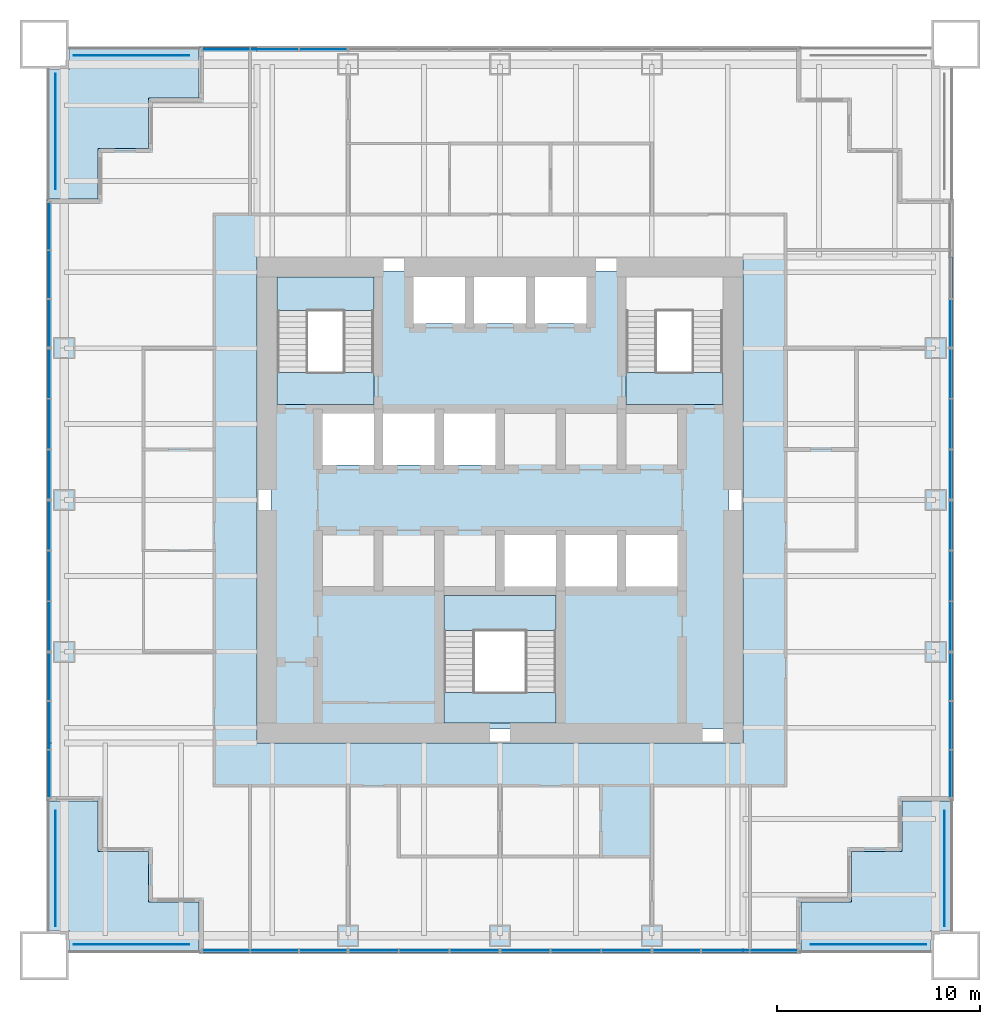
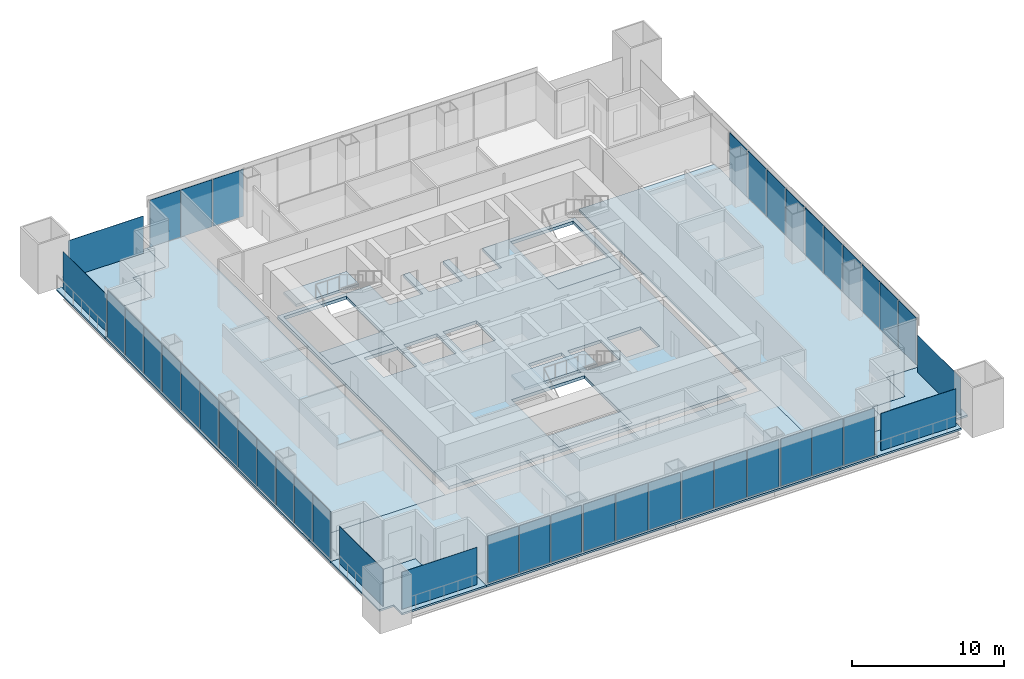
# One storey, part 7 of 13: 43 plates, 12 slabs, 16 elements without a shape of their own.
"""IFC4 building model written with IfcOpenShell, lengths in metres."""

from ifc_helpers import new_model, si_unit, direction, frame, origin, origin_2d, place, context, subcontext, project, spatial, polyline, rectangle, outline, extrude, material, layer, layer_set, type_object, element, aggregate, save


model = new_model("IFC4")

# Units and contexts
model_context = context("Model", 3, precision=1e-05, world=origin(), true_north=direction((0.0, 1.0)))
body_context = subcontext(model_context, "Body", "Model", "MODEL_VIEW")
ifc_project = project(units=[si_unit("LENGTHUNIT", "METRE"), si_unit("AREAUNIT", "SQUARE_METRE"), si_unit("VOLUMEUNIT", "CUBIC_METRE"), si_unit("PLANEANGLEUNIT", "RADIAN"), si_unit("MASSUNIT", "GRAM", prefix="KILO")], contexts=[model_context])

# Site, building, storey
site_placement = place(None, origin())
site = spatial("IfcSite", under=ifc_project, at=site_placement, CompositionType="ELEMENT")
building_placement = place(site_placement, origin())
building = spatial("IfcBuilding", under=site, at=building_placement, Name="Tarangal Relay Tower", CompositionType="ELEMENT")
storey_placement = place(building_placement, frame((0.0, 0.0, 209.89990234375)))
storey = spatial("IfcBuildingStorey", under=building, at=storey_placement, Name="L44", CompositionType="ELEMENT", Elevation=209.89990234375)

# Slabs
ifc_material_1 = material(Name="Concrete fc' 35 MPa", Category="concrete")
ifc_layer_1 = layer(ifc_material_1, 0.25)
ifc_layer_set_1 = layer_set([ifc_layer_1], Name="Core floor slab 250")
slab_type_1 = type_object("IfcSlabType", Name="Core floor slab 250", PredefinedType="FLOOR", material=ifc_layer_set_1)
slab_1_placement = place(storey_placement, frame((0.0, 0.0, -0.25)))
element("IfcSlab", 1, at=slab_1_placement, inside=storey, type_object=slab_type_1, Name="Core floor slab L44", PredefinedType="FLOOR", context=body_context, shape_type="SweptSolid", body=[
    extrude(outline(polyline([(11.300048828125, 11.300048828125), (11.300048828125, -11.300048828125), (-11.300048828125, -11.300048828125), (-11.300048828125, 11.300048828125), (-4.27490234375, 11.300048828125), (-4.27490234375, 8.72509765625), (-1.72509765625, 8.72509765625), (-1.72509765625, 11.300048828125), (-1.27490234375, 11.300048828125), (-1.27490234375, 8.72509765625), (1.27490234375, 8.72509765625), (1.27490234375, 11.300048828125), (1.72509765625, 11.300048828125), (1.72509765625, 8.72509765625), (4.27490234375, 8.72509765625), (4.27490234375, 11.300048828125), (11.300048828125, 11.300048828125)]), holes=[polyline([(-6.22509765625, 4.27490234375), (-8.77490234375, 4.27490234375), (-8.77490234375, 1.72509765625), (-6.22509765625, 1.72509765625), (-6.22509765625, 4.27490234375)]), polyline([(-3.22509765625, 1.72509765625), (-3.22509765625, 4.27490234375), (-5.77490234375, 4.27490234375), (-5.77490234375, 1.72509765625), (-3.22509765625, 1.72509765625)]), polyline([(-0.22509765625, 1.72509765625), (-0.22509765625, 4.27490234375), (-2.77490234375, 4.27490234375), (-2.77490234375, 1.72509765625), (-0.22509765625, 1.72509765625)]), polyline([(-6.22509765625, 11.0), (-11.0, 11.0), (-11.0, 4.72509765625), (-6.22509765625, 4.72509765625), (-6.22509765625, 11.0)]), polyline([(2.77490234375, -4.72509765625), (-2.77490234375, -4.72509765625), (-2.77490234375, -11.0), (2.77490234375, -11.0), (2.77490234375, -4.72509765625)]), polyline([(2.77490234375, -4.27490234375), (2.77490234375, -1.72509765625), (0.22509765625, -1.72509765625), (0.22509765625, -4.27490234375), (2.77490234375, -4.27490234375)]), polyline([(5.77490234375, -4.27490234375), (5.77490234375, -1.72509765625), (3.22509765625, -1.72509765625), (3.22509765625, -4.27490234375), (5.77490234375, -4.27490234375)]), polyline([(8.77490234375, -1.72509765625), (6.22509765625, -1.72509765625), (6.22509765625, -4.27490234375), (8.77490234375, -4.27490234375), (8.77490234375, -1.72509765625)]), polyline([(11.0, 4.72509765625), (11.0, 11.0), (6.22509765625, 11.0), (6.22509765625, 4.72509765625), (11.0, 4.72509765625)])]), origin(), (0.0, 0.0, 1.0), 0.25),
])
ifc_layer_2 = layer(ifc_material_1, 0.14990234375)
ifc_layer_set_2 = layer_set([ifc_layer_2], Name="Floor slab 150")
slab_type_2 = type_object("IfcSlabType", Name="Floor slab 150", PredefinedType="FLOOR", material=ifc_layer_set_2)
slab_2_placement = place(storey_placement, frame((0.0, 0.0, -0.14990234375)))
element("IfcSlab", 2, at=slab_2_placement, inside=storey, type_object=slab_type_2, Name="Floor slab FS3 L44 east bay", PredefinedType="FLOOR", context=body_context, shape_type="SweptSolid", body=[
    extrude(outline(polyline([(22.35009765625, -14.85009765625), (19.85009765625, -14.85009765625), (19.85009765625, -17.35009765625), (17.35009765625, -17.35009765625), (17.35009765625, -19.85009765625), (14.85009765625, -19.85009765625), (14.85009765625, -22.35009765625), (12.0, -22.35009765625), (12.0, 12.0), (22.35009765625, 12.0), (22.35009765625, -14.85009765625)])), origin(), (0.0, 0.0, 1.0), 0.14990234375),
])
slab_3_placement = place(storey_placement, frame((0.0, 0.0, -0.14990234375)))
element("IfcSlab", 3, at=slab_3_placement, inside=storey, type_object=slab_type_2, Name="Floor slab FS3 L44 south bay", PredefinedType="FLOOR", context=body_context, shape_type="SweptSolid", body=[
    extrude(outline(polyline([(-14.85009765625, -22.35009765625), (-14.85009765625, -19.85009765625), (-17.35009765625, -19.85009765625), (-17.35009765625, -17.35009765625), (-19.85009765625, -17.35009765625), (-19.85009765625, -14.85009765625), (-22.35009765625, -14.85009765625), (-22.35009765625, -12.0), (12.0, -12.0), (12.0, -22.35009765625), (-14.85009765625, -22.35009765625)])), origin(), (0.0, 0.0, 1.0), 0.14990234375),
])
slab_4_placement = place(storey_placement, frame((0.0, 0.0, -0.14990234375)))
element("IfcSlab", 4, at=slab_4_placement, inside=storey, type_object=slab_type_2, Name="Floor slab FS3 L44 west bay", PredefinedType="FLOOR", context=body_context, shape_type="SweptSolid", body=[
    extrude(outline(polyline([(-12.0, 22.35009765625), (-12.0, -12.0), (-22.35009765625, -12.0), (-22.35009765625, 14.85009765625), (-19.85009765625, 14.85009765625), (-19.85009765625, 17.35009765625), (-17.35009765625, 17.35009765625), (-17.35009765625, 19.85009765625), (-14.85009765625, 19.85009765625), (-14.85009765625, 22.35009765625), (-12.0, 22.35009765625)])), origin(), (0.0, 0.0, 1.0), 0.14990234375),
])

# Curtain wall, plates
ifc_material_2 = material(Name="Unitised curtain wall, dark glass and black aluminium", Category="aluminium")
curtain_wall_type = type_object("IfcCurtainWallType", Name="Curtain wall CW-A", PredefinedType="USERDEFINED", material=ifc_material_2)
curtain_wall_1_placement = place(storey_placement, origin())
curtain_wall_1 = element("IfcCurtainWall", 5, at=curtain_wall_1_placement, inside=storey, type_object=curtain_wall_type, Name="Curtain wall CW-A N facade L44", ObjectType="UNITISED CURTAIN WALL", PredefinedType="USERDEFINED")
ifc_material_3 = material(Name="Dark tinted insulated glass unit", Category="glass")
ifc_layer_3 = layer(ifc_material_3, 0.031982421875)
ifc_layer_set_3 = layer_set([ifc_layer_3], Name="Glazed panel CW-A 32")
plate_type_1 = type_object("IfcPlateType", Name="Glazed panel CW-A 32", PredefinedType="CURTAIN_PANEL", material=ifc_layer_set_3)
plate_1_placement = place(storey_placement, frame((-13.525390625, 22.25, 0.06494140625), z_axis=(0.0, 0.0, 1.0), x_axis=(1.0, 0.0, 0.0)))
plate_1 = element("IfcPlate", 6, at=plate_1_placement, type_object=plate_type_1, Name="CW-A panel 1.1", PredefinedType="CURTAIN_PANEL", context=body_context, shape_type="SweptSolid", body=[
    extrude(rectangle(XDim=2.319091796875, YDim=0.031982421875, at=origin_2d()), origin(), (0.0, 0.0, 1.0), 3.784912109375),
])
plate_2_placement = place(storey_placement, frame((-11.125, 22.25, 0.06494140625), z_axis=(0.0, 0.0, 1.0), x_axis=(1.0, 0.0, 0.0)))
plate_2 = element("IfcPlate", 7, at=plate_2_placement, type_object=plate_type_1, Name="CW-A panel 2.1", PredefinedType="CURTAIN_PANEL", context=body_context, shape_type="SweptSolid", body=[
    extrude(rectangle(XDim=2.3515625, YDim=0.031982421875, at=origin_2d()), origin(), (0.0, 0.0, 1.0), 3.784912109375),
])
plate_3_placement = place(storey_placement, frame((-8.724609375, 22.25, 0.06494140625), z_axis=(0.0, 0.0, 1.0), x_axis=(1.0, 0.0, 0.0)))
plate_3 = element("IfcPlate", 8, at=plate_3_placement, type_object=plate_type_1, Name="CW-A panel 3.1", PredefinedType="CURTAIN_PANEL", context=body_context, shape_type="SweptSolid", body=[
    extrude(rectangle(XDim=2.319091796875, YDim=0.031982421875, at=origin_2d()), origin(), (0.0, 0.0, 1.0), 3.784912109375),
])
aggregate(curtain_wall_1, [plate_1, plate_2, plate_3])

# Curtain wall, plate
curtain_wall_2_placement = place(storey_placement, origin())
curtain_wall_2 = element("IfcCurtainWall", 9, at=curtain_wall_2_placement, inside=storey, type_object=curtain_wall_type, Name="Curtain wall CW-A E facade L44", ObjectType="UNITISED CURTAIN WALL", PredefinedType="USERDEFINED")
plate_4_placement = place(storey_placement, frame((22.25, 8.724609375, 0.06494140625), z_axis=(0.0, 0.0, 1.0), x_axis=(0.0, -1.0, 0.0)))
plate_4 = element("IfcPlate", 10, at=plate_4_placement, type_object=plate_type_1, Name="CW-A panel 3.1", PredefinedType="CURTAIN_PANEL", context=body_context, shape_type="SweptSolid", body=[
    extrude(rectangle(XDim=2.319091796875, YDim=0.031982421875, at=origin_2d()), origin(), (0.0, 0.0, 1.0), 3.784912109375),
])
aggregate(curtain_wall_2, [plate_4])

# Curtain wall, plates
curtain_wall_3_placement = place(storey_placement, origin())
curtain_wall_3 = element("IfcCurtainWall", 11, at=curtain_wall_3_placement, inside=storey, type_object=curtain_wall_type, Name="Curtain wall CW-A E facade L44", ObjectType="UNITISED CURTAIN WALL", PredefinedType="USERDEFINED")
plate_5_placement = place(storey_placement, frame((22.25, 6.233642578125, 0.06494140625), z_axis=(0.0, 0.0, 1.0), x_axis=(0.0, -1.0, 0.0)))
plate_5 = element("IfcPlate", 12, at=plate_5_placement, type_object=plate_type_1, Name="CW-A panel 1.1", PredefinedType="CURTAIN_PANEL", context=body_context, shape_type="SweptSolid", body=[
    extrude(rectangle(XDim=2.402587890625, YDim=0.031982421875, at=origin_2d()), origin(), (0.0, 0.0, 1.0), 3.784912109375),
])
plate_6_placement = place(storey_placement, frame((22.25, 3.75, 0.06494140625), z_axis=(0.0, 0.0, 1.0), x_axis=(0.0, -1.0, 0.0)))
plate_6 = element("IfcPlate", 13, at=plate_6_placement, type_object=plate_type_1, Name="CW-A panel 2.1", PredefinedType="CURTAIN_PANEL", context=body_context, shape_type="SweptSolid", body=[
    extrude(rectangle(XDim=2.43505859375, YDim=0.031982421875, at=origin_2d()), origin(), (0.0, 0.0, 1.0), 3.784912109375),
])
plate_7_placement = place(storey_placement, frame((22.25, 1.266357421875, 0.06494140625), z_axis=(0.0, 0.0, 1.0), x_axis=(0.0, -1.0, 0.0)))
plate_7 = element("IfcPlate", 14, at=plate_7_placement, type_object=plate_type_1, Name="CW-A panel 3.1", PredefinedType="CURTAIN_PANEL", context=body_context, shape_type="SweptSolid", body=[
    extrude(rectangle(XDim=2.402587890625, YDim=0.031982421875, at=origin_2d()), origin(), (0.0, 0.0, 1.0), 3.784912109375),
])
aggregate(curtain_wall_3, [plate_5, plate_6, plate_7])

curtain_wall_4_placement = place(storey_placement, origin())
curtain_wall_4 = element("IfcCurtainWall", 15, at=curtain_wall_4_placement, inside=storey, type_object=curtain_wall_type, Name="Curtain wall CW-A E facade L44", ObjectType="UNITISED CURTAIN WALL", PredefinedType="USERDEFINED")
plate_8_placement = place(storey_placement, frame((22.25, -1.266357421875, 0.06494140625), z_axis=(0.0, 0.0, 1.0), x_axis=(0.0, -1.0, 0.0)))
plate_8 = element("IfcPlate", 16, at=plate_8_placement, type_object=plate_type_1, Name="CW-A panel 1.1", PredefinedType="CURTAIN_PANEL", context=body_context, shape_type="SweptSolid", body=[
    extrude(rectangle(XDim=2.402587890625, YDim=0.031982421875, at=origin_2d()), origin(), (0.0, 0.0, 1.0), 3.784912109375),
])
plate_9_placement = place(storey_placement, frame((22.25, -3.75, 0.06494140625), z_axis=(0.0, 0.0, 1.0), x_axis=(0.0, -1.0, 0.0)))
plate_9 = element("IfcPlate", 17, at=plate_9_placement, type_object=plate_type_1, Name="CW-A panel 2.1", PredefinedType="CURTAIN_PANEL", context=body_context, shape_type="SweptSolid", body=[
    extrude(rectangle(XDim=2.43505859375, YDim=0.031982421875, at=origin_2d()), origin(), (0.0, 0.0, 1.0), 3.784912109375),
])
plate_10_placement = place(storey_placement, frame((22.25, -6.233642578125, 0.06494140625), z_axis=(0.0, 0.0, 1.0), x_axis=(0.0, -1.0, 0.0)))
plate_10 = element("IfcPlate", 18, at=plate_10_placement, type_object=plate_type_1, Name="CW-A panel 3.1", PredefinedType="CURTAIN_PANEL", context=body_context, shape_type="SweptSolid", body=[
    extrude(rectangle(XDim=2.402587890625, YDim=0.031982421875, at=origin_2d()), origin(), (0.0, 0.0, 1.0), 3.784912109375),
])
aggregate(curtain_wall_4, [plate_8, plate_9, plate_10])

curtain_wall_5_placement = place(storey_placement, origin())
curtain_wall_5 = element("IfcCurtainWall", 19, at=curtain_wall_5_placement, inside=storey, type_object=curtain_wall_type, Name="Curtain wall CW-A E facade L44", ObjectType="UNITISED CURTAIN WALL", PredefinedType="USERDEFINED")
plate_11_placement = place(storey_placement, frame((22.25, -8.724609375, 0.06494140625), z_axis=(0.0, 0.0, 1.0), x_axis=(0.0, -1.0, 0.0)))
plate_11 = element("IfcPlate", 20, at=plate_11_placement, type_object=plate_type_1, Name="CW-A panel 1.1", PredefinedType="CURTAIN_PANEL", context=body_context, shape_type="SweptSolid", body=[
    extrude(rectangle(XDim=2.319091796875, YDim=0.031982421875, at=origin_2d()), origin(), (0.0, 0.0, 1.0), 3.784912109375),
])
plate_12_placement = place(storey_placement, frame((22.25, -11.125, 0.06494140625), z_axis=(0.0, 0.0, 1.0), x_axis=(0.0, -1.0, 0.0)))
plate_12 = element("IfcPlate", 21, at=plate_12_placement, type_object=plate_type_1, Name="CW-A panel 2.1", PredefinedType="CURTAIN_PANEL", context=body_context, shape_type="SweptSolid", body=[
    extrude(rectangle(XDim=2.3515625, YDim=0.031982421875, at=origin_2d()), origin(), (0.0, 0.0, 1.0), 3.784912109375),
])
plate_13_placement = place(storey_placement, frame((22.25, -13.525390625, 0.06494140625), z_axis=(0.0, 0.0, 1.0), x_axis=(0.0, -1.0, 0.0)))
plate_13 = element("IfcPlate", 22, at=plate_13_placement, type_object=plate_type_1, Name="CW-A panel 3.1", PredefinedType="CURTAIN_PANEL", context=body_context, shape_type="SweptSolid", body=[
    extrude(rectangle(XDim=2.319091796875, YDim=0.031982421875, at=origin_2d()), origin(), (0.0, 0.0, 1.0), 3.784912109375),
])
aggregate(curtain_wall_5, [plate_11, plate_12, plate_13])

curtain_wall_6_placement = place(storey_placement, origin())
curtain_wall_6 = element("IfcCurtainWall", 23, at=curtain_wall_6_placement, inside=storey, type_object=curtain_wall_type, Name="Curtain wall CW-A S facade L44", ObjectType="UNITISED CURTAIN WALL", PredefinedType="USERDEFINED")
plate_14_placement = place(storey_placement, frame((13.525390625, -22.25, 0.06494140625), z_axis=(0.0, 0.0, 1.0), x_axis=(-1.0, 0.0, 0.0)))
plate_14 = element("IfcPlate", 24, at=plate_14_placement, type_object=plate_type_1, Name="CW-A panel 1.1", PredefinedType="CURTAIN_PANEL", context=body_context, shape_type="SweptSolid", body=[
    extrude(rectangle(XDim=2.319091796875, YDim=0.031982421875, at=origin_2d()), origin(), (0.0, 0.0, 1.0), 3.784912109375),
])
plate_15_placement = place(storey_placement, frame((11.125, -22.25, 0.06494140625), z_axis=(0.0, 0.0, 1.0), x_axis=(-1.0, 0.0, 0.0)))
plate_15 = element("IfcPlate", 25, at=plate_15_placement, type_object=plate_type_1, Name="CW-A panel 2.1", PredefinedType="CURTAIN_PANEL", context=body_context, shape_type="SweptSolid", body=[
    extrude(rectangle(XDim=2.3515625, YDim=0.031982421875, at=origin_2d()), origin(), (0.0, 0.0, 1.0), 3.784912109375),
])
plate_16_placement = place(storey_placement, frame((8.724609375, -22.25, 0.06494140625), z_axis=(0.0, 0.0, 1.0), x_axis=(-1.0, 0.0, 0.0)))
plate_16 = element("IfcPlate", 26, at=plate_16_placement, type_object=plate_type_1, Name="CW-A panel 3.1", PredefinedType="CURTAIN_PANEL", context=body_context, shape_type="SweptSolid", body=[
    extrude(rectangle(XDim=2.319091796875, YDim=0.031982421875, at=origin_2d()), origin(), (0.0, 0.0, 1.0), 3.784912109375),
])
aggregate(curtain_wall_6, [plate_14, plate_15, plate_16])

curtain_wall_7_placement = place(storey_placement, origin())
curtain_wall_7 = element("IfcCurtainWall", 27, at=curtain_wall_7_placement, inside=storey, type_object=curtain_wall_type, Name="Curtain wall CW-A S facade L44", ObjectType="UNITISED CURTAIN WALL", PredefinedType="USERDEFINED")
plate_17_placement = place(storey_placement, frame((6.233642578125, -22.25, 0.06494140625), z_axis=(0.0, 0.0, 1.0), x_axis=(-1.0, 0.0, 0.0)))
plate_17 = element("IfcPlate", 28, at=plate_17_placement, type_object=plate_type_1, Name="CW-A panel 1.1", PredefinedType="CURTAIN_PANEL", context=body_context, shape_type="SweptSolid", body=[
    extrude(rectangle(XDim=2.402587890625, YDim=0.031982421875, at=origin_2d()), origin(), (0.0, 0.0, 1.0), 3.784912109375),
])
plate_18_placement = place(storey_placement, frame((3.75, -22.25, 0.06494140625), z_axis=(0.0, 0.0, 1.0), x_axis=(-1.0, 0.0, 0.0)))
plate_18 = element("IfcPlate", 29, at=plate_18_placement, type_object=plate_type_1, Name="CW-A panel 2.1", PredefinedType="CURTAIN_PANEL", context=body_context, shape_type="SweptSolid", body=[
    extrude(rectangle(XDim=2.43505859375, YDim=0.031982421875, at=origin_2d()), origin(), (0.0, 0.0, 1.0), 3.784912109375),
])
plate_19_placement = place(storey_placement, frame((1.266357421875, -22.25, 0.06494140625), z_axis=(0.0, 0.0, 1.0), x_axis=(-1.0, 0.0, 0.0)))
plate_19 = element("IfcPlate", 30, at=plate_19_placement, type_object=plate_type_1, Name="CW-A panel 3.1", PredefinedType="CURTAIN_PANEL", context=body_context, shape_type="SweptSolid", body=[
    extrude(rectangle(XDim=2.402587890625, YDim=0.031982421875, at=origin_2d()), origin(), (0.0, 0.0, 1.0), 3.784912109375),
])
aggregate(curtain_wall_7, [plate_17, plate_18, plate_19])

curtain_wall_8_placement = place(storey_placement, origin())
curtain_wall_8 = element("IfcCurtainWall", 31, at=curtain_wall_8_placement, inside=storey, type_object=curtain_wall_type, Name="Curtain wall CW-A S facade L44", ObjectType="UNITISED CURTAIN WALL", PredefinedType="USERDEFINED")
plate_20_placement = place(storey_placement, frame((-1.266357421875, -22.25, 0.06494140625), z_axis=(0.0, 0.0, 1.0), x_axis=(-1.0, 0.0, 0.0)))
plate_20 = element("IfcPlate", 32, at=plate_20_placement, type_object=plate_type_1, Name="CW-A panel 1.1", PredefinedType="CURTAIN_PANEL", context=body_context, shape_type="SweptSolid", body=[
    extrude(rectangle(XDim=2.402587890625, YDim=0.031982421875, at=origin_2d()), origin(), (0.0, 0.0, 1.0), 3.784912109375),
])
plate_21_placement = place(storey_placement, frame((-3.75, -22.25, 0.06494140625), z_axis=(0.0, 0.0, 1.0), x_axis=(-1.0, 0.0, 0.0)))
plate_21 = element("IfcPlate", 33, at=plate_21_placement, type_object=plate_type_1, Name="CW-A panel 2.1", PredefinedType="CURTAIN_PANEL", context=body_context, shape_type="SweptSolid", body=[
    extrude(rectangle(XDim=2.43505859375, YDim=0.031982421875, at=origin_2d()), origin(), (0.0, 0.0, 1.0), 3.784912109375),
])
plate_22_placement = place(storey_placement, frame((-6.233642578125, -22.25, 0.06494140625), z_axis=(0.0, 0.0, 1.0), x_axis=(-1.0, 0.0, 0.0)))
plate_22 = element("IfcPlate", 34, at=plate_22_placement, type_object=plate_type_1, Name="CW-A panel 3.1", PredefinedType="CURTAIN_PANEL", context=body_context, shape_type="SweptSolid", body=[
    extrude(rectangle(XDim=2.402587890625, YDim=0.031982421875, at=origin_2d()), origin(), (0.0, 0.0, 1.0), 3.784912109375),
])
aggregate(curtain_wall_8, [plate_20, plate_21, plate_22])

curtain_wall_9_placement = place(storey_placement, origin())
curtain_wall_9 = element("IfcCurtainWall", 35, at=curtain_wall_9_placement, inside=storey, type_object=curtain_wall_type, Name="Curtain wall CW-A S facade L44", ObjectType="UNITISED CURTAIN WALL", PredefinedType="USERDEFINED")
plate_23_placement = place(storey_placement, frame((-8.724609375, -22.25, 0.06494140625), z_axis=(0.0, 0.0, 1.0), x_axis=(-1.0, 0.0, 0.0)))
plate_23 = element("IfcPlate", 36, at=plate_23_placement, type_object=plate_type_1, Name="CW-A panel 1.1", PredefinedType="CURTAIN_PANEL", context=body_context, shape_type="SweptSolid", body=[
    extrude(rectangle(XDim=2.319091796875, YDim=0.031982421875, at=origin_2d()), origin(), (0.0, 0.0, 1.0), 3.784912109375),
])
plate_24_placement = place(storey_placement, frame((-11.125, -22.25, 0.06494140625), z_axis=(0.0, 0.0, 1.0), x_axis=(-1.0, 0.0, 0.0)))
plate_24 = element("IfcPlate", 37, at=plate_24_placement, type_object=plate_type_1, Name="CW-A panel 2.1", PredefinedType="CURTAIN_PANEL", context=body_context, shape_type="SweptSolid", body=[
    extrude(rectangle(XDim=2.3515625, YDim=0.031982421875, at=origin_2d()), origin(), (0.0, 0.0, 1.0), 3.784912109375),
])
plate_25_placement = place(storey_placement, frame((-13.525390625, -22.25, 0.06494140625), z_axis=(0.0, 0.0, 1.0), x_axis=(-1.0, 0.0, 0.0)))
plate_25 = element("IfcPlate", 38, at=plate_25_placement, type_object=plate_type_1, Name="CW-A panel 3.1", PredefinedType="CURTAIN_PANEL", context=body_context, shape_type="SweptSolid", body=[
    extrude(rectangle(XDim=2.319091796875, YDim=0.031982421875, at=origin_2d()), origin(), (0.0, 0.0, 1.0), 3.784912109375),
])
aggregate(curtain_wall_9, [plate_23, plate_24, plate_25])

curtain_wall_10_placement = place(storey_placement, origin())
curtain_wall_10 = element("IfcCurtainWall", 39, at=curtain_wall_10_placement, inside=storey, type_object=curtain_wall_type, Name="Curtain wall CW-A W facade L44", ObjectType="UNITISED CURTAIN WALL", PredefinedType="USERDEFINED")
plate_26_placement = place(storey_placement, frame((-22.25, -13.525390625, 0.06494140625), z_axis=(0.0, 0.0, 1.0), x_axis=(0.0, 1.0, 0.0)))
plate_26 = element("IfcPlate", 40, at=plate_26_placement, type_object=plate_type_1, Name="CW-A panel 1.1", PredefinedType="CURTAIN_PANEL", context=body_context, shape_type="SweptSolid", body=[
    extrude(rectangle(XDim=2.319091796875, YDim=0.031982421875, at=origin_2d()), origin(), (0.0, 0.0, 1.0), 3.784912109375),
])
plate_27_placement = place(storey_placement, frame((-22.25, -11.125, 0.06494140625), z_axis=(0.0, 0.0, 1.0), x_axis=(0.0, 1.0, 0.0)))
plate_27 = element("IfcPlate", 41, at=plate_27_placement, type_object=plate_type_1, Name="CW-A panel 2.1", PredefinedType="CURTAIN_PANEL", context=body_context, shape_type="SweptSolid", body=[
    extrude(rectangle(XDim=2.3515625, YDim=0.031982421875, at=origin_2d()), origin(), (0.0, 0.0, 1.0), 3.784912109375),
])
plate_28_placement = place(storey_placement, frame((-22.25, -8.724609375, 0.06494140625), z_axis=(0.0, 0.0, 1.0), x_axis=(0.0, 1.0, 0.0)))
plate_28 = element("IfcPlate", 42, at=plate_28_placement, type_object=plate_type_1, Name="CW-A panel 3.1", PredefinedType="CURTAIN_PANEL", context=body_context, shape_type="SweptSolid", body=[
    extrude(rectangle(XDim=2.319091796875, YDim=0.031982421875, at=origin_2d()), origin(), (0.0, 0.0, 1.0), 3.784912109375),
])
aggregate(curtain_wall_10, [plate_26, plate_27, plate_28])

curtain_wall_11_placement = place(storey_placement, origin())
curtain_wall_11 = element("IfcCurtainWall", 43, at=curtain_wall_11_placement, inside=storey, type_object=curtain_wall_type, Name="Curtain wall CW-A W facade L44", ObjectType="UNITISED CURTAIN WALL", PredefinedType="USERDEFINED")
plate_29_placement = place(storey_placement, frame((-22.25, -6.233642578125, 0.06494140625), z_axis=(0.0, 0.0, 1.0), x_axis=(0.0, 1.0, 0.0)))
plate_29 = element("IfcPlate", 44, at=plate_29_placement, type_object=plate_type_1, Name="CW-A panel 1.1", PredefinedType="CURTAIN_PANEL", context=body_context, shape_type="SweptSolid", body=[
    extrude(rectangle(XDim=2.402587890625, YDim=0.031982421875, at=origin_2d()), origin(), (0.0, 0.0, 1.0), 3.784912109375),
])
plate_30_placement = place(storey_placement, frame((-22.25, -3.75, 0.06494140625), z_axis=(0.0, 0.0, 1.0), x_axis=(0.0, 1.0, 0.0)))
plate_30 = element("IfcPlate", 45, at=plate_30_placement, type_object=plate_type_1, Name="CW-A panel 2.1", PredefinedType="CURTAIN_PANEL", context=body_context, shape_type="SweptSolid", body=[
    extrude(rectangle(XDim=2.43505859375, YDim=0.031982421875, at=origin_2d()), origin(), (0.0, 0.0, 1.0), 3.784912109375),
])
plate_31_placement = place(storey_placement, frame((-22.25, -1.266357421875, 0.06494140625), z_axis=(0.0, 0.0, 1.0), x_axis=(0.0, 1.0, 0.0)))
plate_31 = element("IfcPlate", 46, at=plate_31_placement, type_object=plate_type_1, Name="CW-A panel 3.1", PredefinedType="CURTAIN_PANEL", context=body_context, shape_type="SweptSolid", body=[
    extrude(rectangle(XDim=2.402587890625, YDim=0.031982421875, at=origin_2d()), origin(), (0.0, 0.0, 1.0), 3.784912109375),
])
aggregate(curtain_wall_11, [plate_29, plate_30, plate_31])

curtain_wall_12_placement = place(storey_placement, origin())
curtain_wall_12 = element("IfcCurtainWall", 47, at=curtain_wall_12_placement, inside=storey, type_object=curtain_wall_type, Name="Curtain wall CW-A W facade L44", ObjectType="UNITISED CURTAIN WALL", PredefinedType="USERDEFINED")
plate_32_placement = place(storey_placement, frame((-22.25, 1.266357421875, 0.06494140625), z_axis=(0.0, 0.0, 1.0), x_axis=(0.0, 1.0, 0.0)))
plate_32 = element("IfcPlate", 48, at=plate_32_placement, type_object=plate_type_1, Name="CW-A panel 1.1", PredefinedType="CURTAIN_PANEL", context=body_context, shape_type="SweptSolid", body=[
    extrude(rectangle(XDim=2.402587890625, YDim=0.031982421875, at=origin_2d()), origin(), (0.0, 0.0, 1.0), 3.784912109375),
])
plate_33_placement = place(storey_placement, frame((-22.25, 3.75, 0.06494140625), z_axis=(0.0, 0.0, 1.0), x_axis=(0.0, 1.0, 0.0)))
plate_33 = element("IfcPlate", 49, at=plate_33_placement, type_object=plate_type_1, Name="CW-A panel 2.1", PredefinedType="CURTAIN_PANEL", context=body_context, shape_type="SweptSolid", body=[
    extrude(rectangle(XDim=2.43505859375, YDim=0.031982421875, at=origin_2d()), origin(), (0.0, 0.0, 1.0), 3.784912109375),
])
plate_34_placement = place(storey_placement, frame((-22.25, 6.233642578125, 0.06494140625), z_axis=(0.0, 0.0, 1.0), x_axis=(0.0, 1.0, 0.0)))
plate_34 = element("IfcPlate", 50, at=plate_34_placement, type_object=plate_type_1, Name="CW-A panel 3.1", PredefinedType="CURTAIN_PANEL", context=body_context, shape_type="SweptSolid", body=[
    extrude(rectangle(XDim=2.402587890625, YDim=0.031982421875, at=origin_2d()), origin(), (0.0, 0.0, 1.0), 3.784912109375),
])
aggregate(curtain_wall_12, [plate_32, plate_33, plate_34])

curtain_wall_13_placement = place(storey_placement, origin())
curtain_wall_13 = element("IfcCurtainWall", 51, at=curtain_wall_13_placement, inside=storey, type_object=curtain_wall_type, Name="Curtain wall CW-A W facade L44", ObjectType="UNITISED CURTAIN WALL", PredefinedType="USERDEFINED")
plate_35_placement = place(storey_placement, frame((-22.25, 8.724609375, 0.06494140625), z_axis=(0.0, 0.0, 1.0), x_axis=(0.0, 1.0, 0.0)))
plate_35 = element("IfcPlate", 52, at=plate_35_placement, type_object=plate_type_1, Name="CW-A panel 1.1", PredefinedType="CURTAIN_PANEL", context=body_context, shape_type="SweptSolid", body=[
    extrude(rectangle(XDim=2.319091796875, YDim=0.031982421875, at=origin_2d()), origin(), (0.0, 0.0, 1.0), 3.784912109375),
])
plate_36_placement = place(storey_placement, frame((-22.25, 11.125, 0.06494140625), z_axis=(0.0, 0.0, 1.0), x_axis=(0.0, 1.0, 0.0)))
plate_36 = element("IfcPlate", 53, at=plate_36_placement, type_object=plate_type_1, Name="CW-A panel 2.1", PredefinedType="CURTAIN_PANEL", context=body_context, shape_type="SweptSolid", body=[
    extrude(rectangle(XDim=2.3515625, YDim=0.031982421875, at=origin_2d()), origin(), (0.0, 0.0, 1.0), 3.784912109375),
])
plate_37_placement = place(storey_placement, frame((-22.25, 13.525390625, 0.06494140625), z_axis=(0.0, 0.0, 1.0), x_axis=(0.0, 1.0, 0.0)))
plate_37 = element("IfcPlate", 54, at=plate_37_placement, type_object=plate_type_1, Name="CW-A panel 3.1", PredefinedType="CURTAIN_PANEL", context=body_context, shape_type="SweptSolid", body=[
    extrude(rectangle(XDim=2.319091796875, YDim=0.031982421875, at=origin_2d()), origin(), (0.0, 0.0, 1.0), 3.784912109375),
])
aggregate(curtain_wall_13, [plate_35, plate_36, plate_37])

# Plates
ifc_material_4 = material(Name="Black stainless steel cable trellis with climbing planting", Category="steel")
ifc_layer_4 = layer(ifc_material_4, 0.030029296875)
ifc_layer_set_4 = layer_set([ifc_layer_4], Name="Planted trellis screen")
plate_type_2 = type_object("IfcPlateType", Name="Planted trellis screen", PredefinedType="SHEET", material=ifc_layer_set_4)
for number, where, z_axis, x_axis, name in (
    (55, (18.199951171875, -21.949951171875, 0.0), (0.0, 0.0, 1.0), (-1.0, 0.0, 0.0), "Planted trellis SC2 SE L44"),
    (56, (-21.949951171875, -18.199951171875, 0.0), (0.0, 0.0, 1.0), (0.0, 1.0, 0.0), "Planted trellis SC2 SW L44"),
    (57, (-18.199951171875, 21.949951171875, 0.0), (0.0, 0.0, 1.0), (1.0, 0.0, 0.0), "Planted trellis SC2 NW L44"),
):
    element("IfcPlate", number, at=place(storey_placement, frame(where, z_axis=z_axis, x_axis=x_axis)), inside=storey, type_object=plate_type_2, Name=name, PredefinedType="SHEET", context=body_context, shape_type="SweptSolid", body=[
        extrude(rectangle(XDim=5.699951171875, YDim=0.030029296875, at=origin_2d()), origin(), (0.0, 0.0, 1.0), 3.0),
    ])

# Stair, slabs
ifc_material_5 = material(Name="Steel ASTM A992 stair flight", Category="steel")
stair_type = type_object("IfcStairType", Name="Core stair 1500", PredefinedType="HALF_TURN_STAIR", material=ifc_material_5)
stair_1_placement = place(storey_placement, origin())
stair_1 = element("IfcStair", 58, at=stair_1_placement, inside=storey, type_object=stair_type, Name="Stair ST-A L44", PredefinedType="HALF_TURN_STAIR")
ifc_layer_5 = layer(ifc_material_1, 0.199951171875)
ifc_layer_set_5 = layer_set([ifc_layer_5], Name="Stair landing 200")
slab_type_3 = type_object("IfcSlabType", Name="Stair landing 200", PredefinedType="LANDING", material=ifc_layer_set_5)
slab_5_placement = place(storey_placement, frame((0.0, 0.0, -0.199951171875)))
slab_5 = element("IfcSlab", 59, at=slab_5_placement, type_object=slab_type_3, Name="ST-A landing 1", PredefinedType="LANDING", context=body_context, shape_type="SweptSolid", body=[
    extrude(outline(polyline([(-11.0, 4.72509765625), (-6.22509765625, 4.72509765625), (-6.22509765625, 6.300048828125), (-11.0, 6.300048828125), (-11.0, 4.72509765625)])), origin(), (0.0, 0.0, 1.0), 0.199951171875),
])
slab_6_placement = place(storey_placement, frame((0.0, 0.0, 1.800048828125)))
slab_6 = element("IfcSlab", 60, at=slab_6_placement, type_object=slab_type_3, Name="ST-A landing 2", PredefinedType="LANDING", context=body_context, shape_type="SweptSolid", body=[
    extrude(outline(polyline([(-11.0, 9.346923828125), (-6.22509765625, 9.346923828125), (-6.22509765625, 11.0), (-11.0, 11.0), (-11.0, 9.346923828125)])), origin(), (0.0, 0.0, 1.0), 0.199951171875),
])
aggregate(stair_1, [slab_5, slab_6])

# Stair, slab
stair_2_placement = place(storey_placement, origin())
stair_2 = element("IfcStair", 61, at=stair_2_placement, inside=storey, type_object=stair_type, Name="Stair ST-B L44", PredefinedType="HALF_TURN_STAIR")
slab_7_placement = place(storey_placement, frame((0.0, 0.0, -0.199951171875)))
slab_7 = element("IfcSlab", 62, at=slab_7_placement, type_object=slab_type_3, Name="ST-B landing 1", PredefinedType="LANDING", context=body_context, shape_type="SweptSolid", body=[
    extrude(outline(polyline([(6.22509765625, 4.72509765625), (11.0, 4.72509765625), (11.0, 6.300048828125), (6.22509765625, 6.300048828125), (6.22509765625, 4.72509765625)])), origin(), (0.0, 0.0, 1.0), 0.199951171875),
])
aggregate(stair_2, [slab_7])

# Stair, slabs
stair_3_placement = place(storey_placement, origin())
stair_3 = element("IfcStair", 63, at=stair_3_placement, inside=storey, type_object=stair_type, Name="Stair ST-C L44", PredefinedType="HALF_TURN_STAIR")
slab_8_placement = place(storey_placement, frame((0.0, 0.0, -0.199951171875)))
slab_8 = element("IfcSlab", 64, at=slab_8_placement, type_object=slab_type_3, Name="ST-C landing 1", PredefinedType="LANDING", context=body_context, shape_type="SweptSolid", body=[
    extrude(outline(polyline([(-2.77490234375, -11.0), (2.77490234375, -11.0), (2.77490234375, -9.5), (-2.77490234375, -9.5), (-2.77490234375, -11.0)])), origin(), (0.0, 0.0, 1.0), 0.199951171875),
])
slab_9_placement = place(storey_placement, frame((0.0, 0.0, 1.800048828125)))
slab_9 = element("IfcSlab", 65, at=slab_9_placement, type_object=slab_type_3, Name="ST-C landing 2", PredefinedType="LANDING", context=body_context, shape_type="SweptSolid", body=[
    extrude(outline(polyline([(-2.77490234375, -6.452880859375), (2.77490234375, -6.452880859375), (2.77490234375, -4.72509765625), (-2.77490234375, -4.72509765625), (-2.77490234375, -6.452880859375)])), origin(), (0.0, 0.0, 1.0), 0.199951171875),
])
aggregate(stair_3, [slab_8, slab_9])

# Plates
ifc_material_6 = material(Name="Perforated black aluminium screen", Category="aluminium")
ifc_layer_6 = layer(ifc_material_6, 0.02001953125)
ifc_layer_set_6 = layer_set([ifc_layer_6], Name="Terrace screen panel")
plate_type_3 = type_object("IfcPlateType", Name="Terrace screen panel", PredefinedType="SHEET", material=ifc_layer_set_6)
for number, where, z_axis, x_axis, name in (
    (66, (21.949951171875, -18.199951171875, 0.0), (0.0, 0.0, 1.0), (0.0, -1.0, 0.0), "Terrace screen SC1 SE L44"),
    (67, (-18.199951171875, -21.949951171875, 0.0), (0.0, 0.0, 1.0), (-1.0, 0.0, 0.0), "Terrace screen SC1 SW L44"),
    (68, (-21.949951171875, 18.199951171875, 0.0), (0.0, 0.0, 1.0), (0.0, 1.0, 0.0), "Terrace screen SC1 NW L44"),
):
    element("IfcPlate", number, at=place(storey_placement, frame(where, z_axis=z_axis, x_axis=x_axis)), inside=storey, type_object=plate_type_3, Name=name, PredefinedType="SHEET", context=body_context, shape_type="SweptSolid", body=[
        extrude(rectangle(XDim=5.699951171875, YDim=0.02001953125, at=origin_2d()), origin(), (0.0, 0.0, 1.0), 3.0),
    ])

# Slabs
ifc_layer_7 = layer(ifc_material_1, 0.14990234375)
ifc_layer_set_7 = layer_set([ifc_layer_7], Name="Terrace slab 150")
slab_type_4 = type_object("IfcSlabType", Name="Terrace slab 150", PredefinedType="FLOOR", material=ifc_layer_set_7)
slab_10_placement = place(storey_placement, frame((0.0, 0.0, -0.14990234375)))
element("IfcSlab", 69, at=slab_10_placement, inside=storey, type_object=slab_type_4, Name="Corner terrace SE L44", PredefinedType="FLOOR", context=body_context, shape_type="SweptSolid", body=[
    extrude(outline(polyline([(22.35009765625, -14.85009765625), (19.85009765625, -14.85009765625), (19.85009765625, -17.35009765625), (17.35009765625, -17.35009765625), (17.35009765625, -19.85009765625), (14.85009765625, -19.85009765625), (14.85009765625, -22.35009765625), (21.25, -22.35009765625), (21.25, -21.25), (22.35009765625, -21.25), (22.35009765625, -14.85009765625)])), origin(), (0.0, 0.0, 1.0), 0.14990234375),
])
slab_11_placement = place(storey_placement, frame((0.0, 0.0, -0.14990234375)))
element("IfcSlab", 70, at=slab_11_placement, inside=storey, type_object=slab_type_4, Name="Corner terrace SW L44", PredefinedType="FLOOR", context=body_context, shape_type="SweptSolid", body=[
    extrude(outline(polyline([(-14.85009765625, -22.35009765625), (-14.85009765625, -19.85009765625), (-17.35009765625, -19.85009765625), (-17.35009765625, -17.35009765625), (-19.85009765625, -17.35009765625), (-19.85009765625, -14.85009765625), (-22.35009765625, -14.85009765625), (-22.35009765625, -21.25), (-21.25, -21.25), (-21.25, -22.35009765625), (-14.85009765625, -22.35009765625)])), origin(), (0.0, 0.0, 1.0), 0.14990234375),
])
slab_12_placement = place(storey_placement, frame((0.0, 0.0, -0.14990234375)))
element("IfcSlab", 71, at=slab_12_placement, inside=storey, type_object=slab_type_4, Name="Corner terrace NW L44", PredefinedType="FLOOR", context=body_context, shape_type="SweptSolid", body=[
    extrude(outline(polyline([(-22.35009765625, 14.85009765625), (-19.85009765625, 14.85009765625), (-19.85009765625, 17.35009765625), (-17.35009765625, 17.35009765625), (-17.35009765625, 19.85009765625), (-14.85009765625, 19.85009765625), (-14.85009765625, 22.35009765625), (-21.25, 22.35009765625), (-21.25, 21.25), (-22.35009765625, 21.25), (-22.35009765625, 14.85009765625)])), origin(), (0.0, 0.0, 1.0), 0.14990234375),
])

save(model, "model.ifc")
